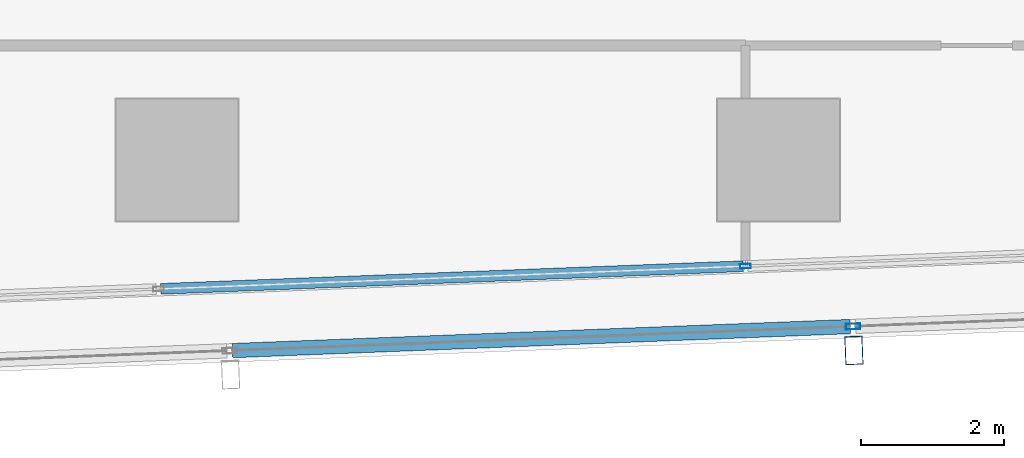
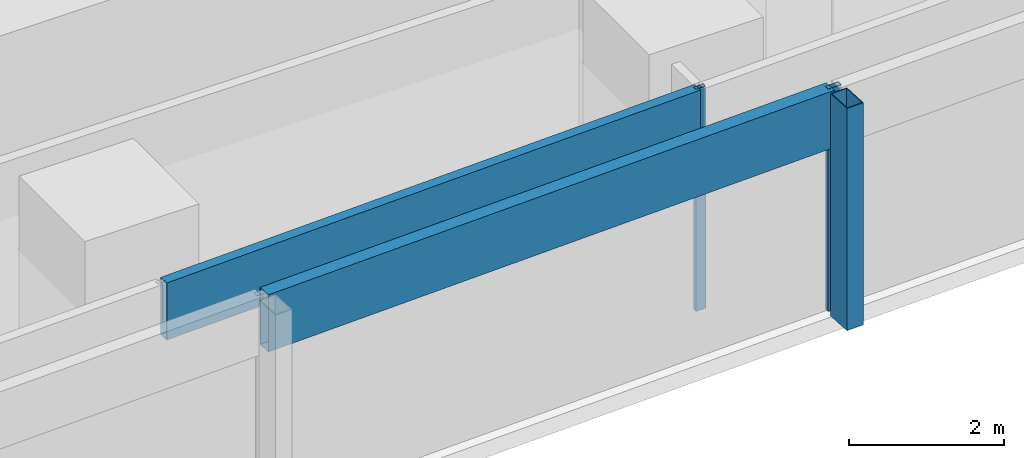
# One storey, part 10 of 40: 5 members, 2 elements without a shape of their own.
"""IFC4 building model written with IfcOpenShell, lengths in metres."""

import ifcopenshell
import ifcopenshell.guid

model = None  # the IFC model being written
_history = None  # IfcOwnerHistory: only IFC2X3 demands one
_inside = {}  # id of a spatial element -> (the spatial element, [elements in it])
_under = {}  # id of a project, library or spatial element -> (it, [spatial elements below it])
_declared = {}  # id of a project -> (the project, [libraries it declares])
_typed = {}  # id of a type object -> (the type object, [elements of that type])
_made_of = {}  # id of a material, layer set ... -> (it, [elements and type objects made of it])


def new_model(schema):
    """Start an empty IFC model of exactly this schema.

    Asked for "IFC4X3", IfcOpenShell would pick the latest addendum, in which some entities
    have other attributes; the version numbers below select the first issue.
    IFC2X3 requires an IfcOwnerHistory on every rooted entity: one is made here for all.
    """
    global model, _history
    if schema == "IFC4X3":
        model = ifcopenshell.file(schema_version=(4, 3, 0, 0))
    else:
        model = ifcopenshell.file(schema=schema)
    _inside.clear()
    _under.clear()
    _declared.clear()
    _typed.clear()
    _made_of.clear()
    _history = None
    if model.schema == "IFC2X3":
        org = make("IfcOrganization", Name="unknown")
        user = make(
            "IfcPersonAndOrganization",
            ThePerson=make("IfcPerson", FamilyName="unknown"),
            TheOrganization=org,
        )
        app = make(
            "IfcApplication",
            ApplicationDeveloper=org,
            Version="unknown",
            ApplicationFullName="unknown",
            ApplicationIdentifier="unknown",
        )
        _history = make(
            "IfcOwnerHistory",
            OwningUser=user,
            OwningApplication=app,
            ChangeAction="ADDED",
            CreationDate=0,
        )
    return model


def make(cls, **values):
    """One entity of the class cls with the attributes given. An attribute that is None is left unset."""
    return model.create_entity(
        cls, **{name: value for name, value in values.items() if value is not None}
    )


def rooted(cls, **values):
    """An entity with a GlobalId (a new one), such as an element, a storey or a relation."""
    return make(cls, GlobalId=ifcopenshell.guid.new(), OwnerHistory=_history, **values)


def si_unit(unit_type, name, prefix=None):
    """IfcSIUnit, for example si_unit("LENGTHUNIT", "METRE", prefix="MILLI")."""
    return make("IfcSIUnit", UnitType=unit_type, Prefix=prefix, Name=name)


def assignment(units):
    """IfcUnitAssignment: the units of a project."""
    return None if units is None else make("IfcUnitAssignment", Units=units)


def point(xyz):
    """IfcCartesianPoint."""
    return None if xyz is None else make("IfcCartesianPoint", Coordinates=xyz)


def direction(xyz):
    """IfcDirection."""
    return None if xyz is None else make("IfcDirection", DirectionRatios=xyz)


def frame(location, z_axis=None, x_axis=None):
    """IfcAxis2Placement3D, a coordinate frame: its origin and axes. An axis left out is left unset."""
    return make(
        "IfcAxis2Placement3D",
        Location=point(location),
        Axis=direction(z_axis),
        RefDirection=direction(x_axis),
    )


def frame_2d(location, x_axis=None):
    """IfcAxis2Placement2D, a coordinate frame in the plane: its origin and x axis."""
    return make(
        "IfcAxis2Placement2D", Location=point(location), RefDirection=direction(x_axis)
    )


def origin():
    """The frame at (0, 0, 0) with its axes left unset."""
    return frame((0.0, 0.0, 0.0))


def origin_2d():
    """The frame at (0, 0) in the plane with its x axis left unset."""
    return frame_2d((0.0, 0.0))


def place(relative_to, where):
    """IfcLocalPlacement: puts the frame where relative to a parent placement (None: the world)."""
    return make(
        "IfcLocalPlacement", PlacementRelTo=relative_to, RelativePlacement=where
    )


def context(
    kind, dimensions, precision=None, world=None, true_north=None, identifier=None
):
    """IfcGeometricRepresentationContext, for example the 3D "Model" context."""
    return make(
        "IfcGeometricRepresentationContext",
        ContextIdentifier=identifier,
        ContextType=kind,
        CoordinateSpaceDimension=dimensions,
        Precision=precision,
        WorldCoordinateSystem=world,
        TrueNorth=true_north,
    )


def subcontext(parent, identifier, kind, view, scale=None):
    """IfcGeometricRepresentationSubContext, for example "Body" below "Model"."""
    return make(
        "IfcGeometricRepresentationSubContext",
        ContextIdentifier=identifier,
        ContextType=kind,
        ParentContext=parent,
        TargetScale=scale,
        TargetView=view,
    )


def project(units=None, contexts=None):
    """IfcProject with its units and contexts."""
    return rooted(
        "IfcProject",
        Name="project",
        RepresentationContexts=contexts,
        UnitsInContext=assignment(units),
    )


def spatial(cls, under=None, at=None, **own):
    """A site, building, storey or space (cls), placed at a placement, below another one or the project."""
    s = rooted(cls, ObjectPlacement=at, **own)
    if under is not None:
        _under.setdefault(under.id(), (under, []))[1].append(s)
    return s


def profile(cls, at=None, kind="AREA", **sizes):
    """A parametric profile (cls). Its sizes go by their IFC names, for example OverallWidth=200.0."""
    return make(cls, ProfileType=kind, Position=at, **sizes)


def hollow_rectangle(**sizes):
    """IfcRectangleHollowProfileDef."""
    return profile("IfcRectangleHollowProfileDef", **sizes)


def extrude(swept, where, along, depth):
    """IfcExtrudedAreaSolid: the profile swept, set in the frame where, extruded along a direction by depth."""
    return make(
        "IfcExtrudedAreaSolid",
        SweptArea=swept,
        Position=where,
        ExtrudedDirection=direction(along),
        Depth=depth,
    )


def shape(context_of_items, identifier, shape_type, items):
    """IfcShapeRepresentation: the items that make up one representation, for example the "Body"."""
    return make(
        "IfcShapeRepresentation",
        ContextOfItems=context_of_items,
        RepresentationIdentifier=identifier,
        RepresentationType=shape_type,
        Items=items,
    )


def material(Name=None, Category=None):
    """IfcMaterial."""
    return make("IfcMaterial", Name=Name, Category=Category)


def material_profile(
    of_material, cross_section, Name=None, Category=None, Priority=None
):
    """IfcMaterialProfile: a cross section and its material."""
    return make(
        "IfcMaterialProfile",
        Name=Name,
        Material=of_material,
        Profile=cross_section,
        Priority=Priority,
        Category=Category,
    )


def profile_set(profiles, Name=None, composite=None):
    """IfcMaterialProfileSet."""
    return make(
        "IfcMaterialProfileSet",
        Name=Name,
        MaterialProfiles=profiles,
        CompositeProfile=composite,
    )


def made_of(thing, what):
    """Note that an element or type object is made of a material, layer set ...; save() writes the relation."""
    if what is not None:
        _made_of.setdefault(what.id(), (what, []))[1].append(thing)
    return thing


def type_object(cls, material=None, **own):
    """A type object (cls), such as IfcWallType, which elements share."""
    return made_of(rooted(cls, **own), material)


def element(
    cls,
    number,
    at=None,
    inside=None,
    cuts=None,
    type_object=None,
    material=None,
    context=None,
    identifier="Body",
    shape_type=None,
    held_by="IfcProductDefinitionShape",
    body=None,
    shapes=None,
    **own,
):
    """One element of the class cls, such as IfcWall. Its Tag is "e" and its number.

    at: its placement. inside: the storey or other place that contains it. cuts: it is an
    opening in that element (IfcRelVoidsElement). A single representation is given by context,
    identifier, shape_type and body (its items); several are given by shapes. held_by: the class
    of the entity that holds the representations. save() writes the other relations.
    """
    e = rooted(cls, Tag="e%d" % number, ObjectPlacement=at, **own)
    if body is not None:
        shapes = [shape(context, identifier, shape_type, body)]
    if shapes is not None:
        e.Representation = make(held_by, Representations=shapes)
    if inside is not None:
        _inside.setdefault(inside.id(), (inside, []))[1].append(e)
    if cuts is not None:
        rooted(
            "IfcRelVoidsElement", RelatingBuildingElement=cuts, RelatedOpeningElement=e
        )
    if type_object is not None:
        _typed.setdefault(type_object.id(), (type_object, []))[1].append(e)
    return made_of(e, material)


def aggregate(whole, parts):
    """IfcRelAggregates: a whole, such as a stair, and the parts it consists of."""
    return rooted("IfcRelAggregates", RelatingObject=whole, RelatedObjects=parts)


def save(model, path):
    """Write the relations noted so far, then the file.

    IfcRelAggregates (storeys below a building ...), IfcRelContainedInSpatialStructure (elements
    in a storey), IfcRelDefinesByType, IfcRelAssociatesMaterial and IfcRelDeclares: one each for
    every whole, place, type object, material and project.
    """
    for whole, parts in _under.values():
        aggregate(whole, parts)
    for where, things in _inside.values():
        rooted(
            "IfcRelContainedInSpatialStructure",
            RelatedElements=things,
            RelatingStructure=where,
        )
    for kind, things in _typed.values():
        rooted("IfcRelDefinesByType", RelatedObjects=things, RelatingType=kind)
    for what, things in _made_of.values():
        rooted("IfcRelAssociatesMaterial", RelatedObjects=things, RelatingMaterial=what)
    for by, libraries in _declared.values():
        rooted("IfcRelDeclares", RelatingContext=by, RelatedDefinitions=libraries)
    model.write(path)


model = new_model("IFC4")

# Units and contexts
model_context = context("Model", 3, precision=1e-05, world=origin(), true_north=direction((0.0, 1.0)))
body_context = subcontext(model_context, "Body", "Model", "MODEL_VIEW")
ifc_project = project(units=[si_unit("LENGTHUNIT", "METRE"), si_unit("AREAUNIT", "SQUARE_METRE"), si_unit("VOLUMEUNIT", "CUBIC_METRE"), si_unit("PLANEANGLEUNIT", "RADIAN"), si_unit("MASSUNIT", "GRAM", prefix="KILO")], contexts=[model_context])

# Site, building, storey
site_placement = place(None, origin())
site = spatial("IfcSite", under=ifc_project, at=site_placement, CompositionType="ELEMENT")
building_placement = place(site_placement, origin())
building = spatial("IfcBuilding", under=site, at=building_placement, Name="Rekha Terrace Tower", CompositionType="ELEMENT")
storey_placement = place(building_placement, frame((0.0, 0.0, 110.300048828125)))
storey = spatial("IfcBuildingStorey", under=building, at=storey_placement, Name="L27", CompositionType="ELEMENT", Elevation=110.300048828125)

# Curtain wall, member
ifc_material_1 = material(Name="Aluminium framing", Category="aluminium")
curtain_wall_type_1 = type_object("IfcCurtainWallType", Name="CW2 double skin outer glazing", PredefinedType="USERDEFINED", material=ifc_material_1)
curtain_wall_1_placement = place(storey_placement, origin())
curtain_wall_1 = element("IfcCurtainWall", 1, at=curtain_wall_1_placement, inside=storey, type_object=curtain_wall_type_1, Name="CW2 double skin outer glazing", ObjectType="DOUBLE SKIN OUTER GLAZING", PredefinedType="USERDEFINED")
ifc_material_2 = material(Name="Steel S355 with fluorocarbon finish", Category="steel")
ifc_material_profile_1 = material_profile(ifc_material_2, hollow_rectangle(XDim=0.25, YDim=0.39990234375, WallThickness=0.012451171875, at=origin_2d()), Name="RHS400x250x12.5")
ifc_profile_set_1 = profile_set([ifc_material_profile_1], Name="Steel S355 with fluorocarbon finish")
member_type_1 = type_object("IfcMemberType", Name="BL1 facade blade RHS 400 x 250", PredefinedType="USERDEFINED", material=ifc_profile_set_1)
member_1_placement = place(storey_placement, frame((51.4521484375, 14.141845703125, 0.0), z_axis=(0.0, 0.0, 1.0), x_axis=(0.999243494356, 0.038890088543, 0.0)))
member_1 = element("IfcMember", 2, at=member_1_placement, type_object=member_type_1, Name="Facade blade", ObjectType="FACADE BLADE", PredefinedType="USERDEFINED", context=body_context, shape_type="SweptSolid", body=[
    extrude(hollow_rectangle(XDim=0.25, YDim=0.39990234375, WallThickness=0.012451171875, at=origin_2d()), origin(), (0.0, 0.0, 1.0), 3.5),
])

# Curtain wall, members
curtain_wall_type_2 = type_object("IfcCurtainWallType", Name="CW1 double skin inner glazing", PredefinedType="USERDEFINED", material=ifc_material_1)
curtain_wall_2_placement = place(storey_placement, origin())
curtain_wall_2 = element("IfcCurtainWall", 3, at=curtain_wall_2_placement, inside=storey, type_object=curtain_wall_type_2, Name="CW1 double skin inner glazing", ObjectType="DOUBLE SKIN INNER GLAZING", PredefinedType="USERDEFINED")
ifc_material_3 = material(Name="Aluminium mullion section", Category="aluminium")
ifc_material_profile_2 = material_profile(ifc_material_3, hollow_rectangle(XDim=0.06494140625, YDim=0.14990234375, WallThickness=0.00390625, at=origin_2d()), Name="AL RHS 65x150")
ifc_profile_set_2 = profile_set([ifc_material_profile_2], Name="Aluminium mullion section")
member_type_2 = type_object("IfcMemberType", Name="CW1 mullion RHS 65 x 150", PredefinedType="MULLION", material=ifc_profile_set_2)
member_2_placement = place(storey_placement, frame((49.936767578125, 15.31884765625, 0.0), z_axis=(0.0, 0.0, 1.0), x_axis=(-0.038889971345, 0.999243498917, 0.0)))
member_2 = element("IfcMember", 4, at=member_2_placement, type_object=member_type_2, Name="CW1 mullion 4", PredefinedType="MULLION", context=body_context, shape_type="SweptSolid", body=[
    extrude(hollow_rectangle(XDim=0.06494140625, YDim=0.14990234375, WallThickness=0.00390625, at=origin_2d()), origin(), (0.0, 0.0, 1.0), 3.5),
])
ifc_material_4 = material(Name="Insulated aluminium spandrel box", Category="aluminium")
ifc_material_profile_3 = material_profile(ifc_material_4, hollow_rectangle(XDim=0.14990234375, YDim=0.89990234375, WallThickness=0.0029296875, at=origin_2d()), Name="AL SPANDREL BOX 150x900")
ifc_profile_set_3 = profile_set([ifc_material_profile_3], Name="Insulated aluminium spandrel box")
member_type_3 = type_object("IfcMemberType", Name="CW1 spandrel transom 150 x 900", PredefinedType="USERDEFINED", material=ifc_profile_set_3)
member_3_placement = place(storey_placement, frame((41.772705078125, 15.001220703125, 3.050048828125), z_axis=(0.999243835719, 0.038881316573, 0.0), x_axis=(-0.038881316573, 0.999243835719, 0.0)))
member_3 = element("IfcMember", 5, at=member_3_placement, type_object=member_type_3, Name="CW1 spandrel transom 3", ObjectType="TRANSOM", PredefinedType="USERDEFINED", context=body_context, shape_type="SweptSolid", body=[
    extrude(hollow_rectangle(XDim=0.14990234375, YDim=0.89990234375, WallThickness=0.0029296875, at=origin_2d()), origin(), (0.0, 0.0, 1.0), 8.1376953125),
])
aggregate(curtain_wall_2, [member_2, member_3])

# Member
ifc_material_profile_4 = material_profile(ifc_material_3, hollow_rectangle(XDim=0.080078125, YDim=0.199951171875, WallThickness=0.00390625, at=origin_2d()), Name="AL RHS 80x200")
ifc_profile_set_4 = profile_set([ifc_material_profile_4], Name="Aluminium mullion section")
member_type_4 = type_object("IfcMemberType", Name="CW2 mullion RHS 80 x 200", PredefinedType="MULLION", material=ifc_profile_set_4)
member_4_placement = place(storey_placement, frame((51.439208984375, 14.4765625, 0.0), z_axis=(0.0, 0.0, 1.0), x_axis=(-0.038889971345, 0.999243498917, 0.0)))
member_4 = element("IfcMember", 6, at=member_4_placement, type_object=member_type_4, Name="CW2 mullion 4", PredefinedType="MULLION", context=body_context, shape_type="SweptSolid", body=[
    extrude(hollow_rectangle(XDim=0.080078125, YDim=0.199951171875, WallThickness=0.00390625, at=origin_2d()), origin(), (0.0, 0.0, 1.0), 3.5),
])

ifc_material_profile_5 = material_profile(ifc_material_4, hollow_rectangle(XDim=0.199951171875, YDim=0.89990234375, WallThickness=0.0029296875, at=origin_2d()), Name="AL SPANDREL BOX 200x900")
ifc_profile_set_5 = profile_set([ifc_material_profile_5], Name="Insulated aluminium spandrel box")
member_type_5 = type_object("IfcMemberType", Name="CW2 spandrel transom 200 x 900", PredefinedType="USERDEFINED", material=ifc_profile_set_5)
member_5_placement = place(storey_placement, frame((42.774169921875, 14.139404296875, 3.050048828125), z_axis=(0.999243438523, 0.038891523097, 0.0), x_axis=(-0.038891523097, 0.999243438523, 0.0)))
member_5 = element("IfcMember", 7, at=member_5_placement, type_object=member_type_5, Name="CW2 spandrel transom 3", ObjectType="TRANSOM", PredefinedType="USERDEFINED", context=body_context, shape_type="SweptSolid", body=[
    extrude(hollow_rectangle(XDim=0.199951171875, YDim=0.89990234375, WallThickness=0.0029296875, at=origin_2d()), origin(), (0.0, 0.0, 1.0), 8.631591796875),
])

aggregate(curtain_wall_1, [member_4, member_5, member_1])

save(model, "model.ifc")
